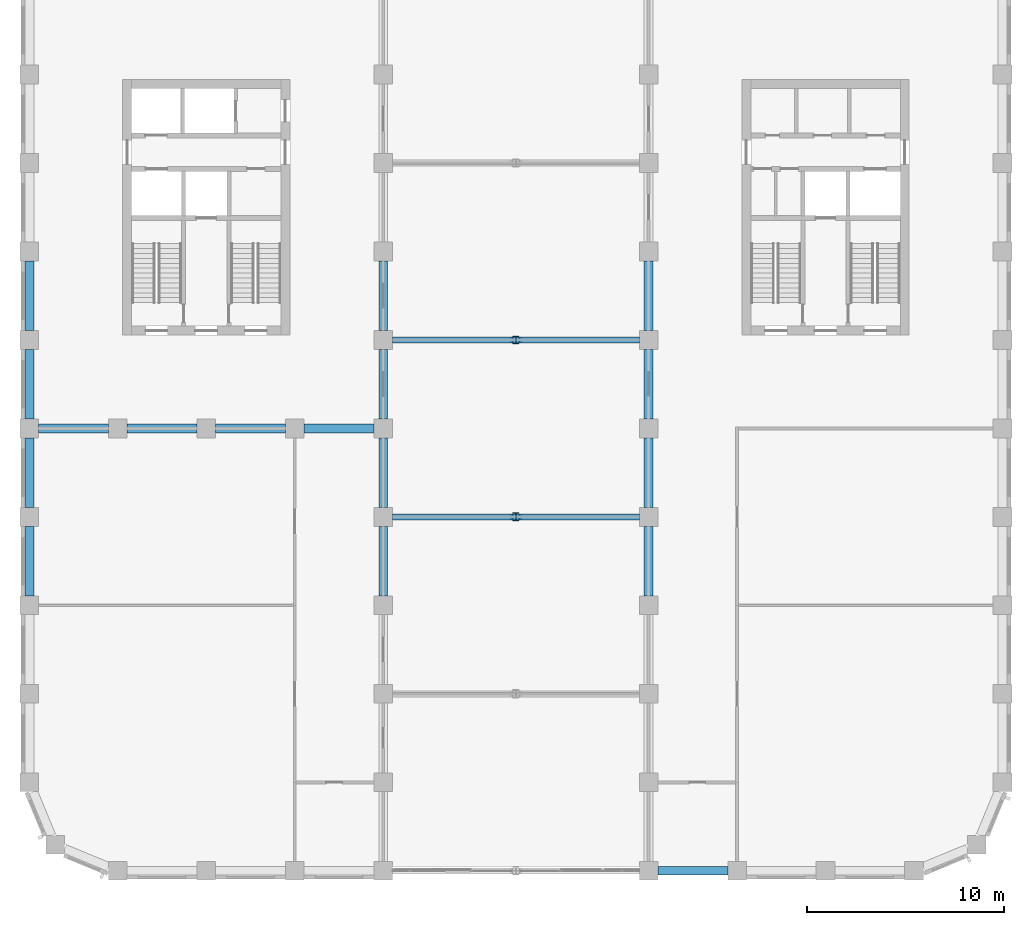
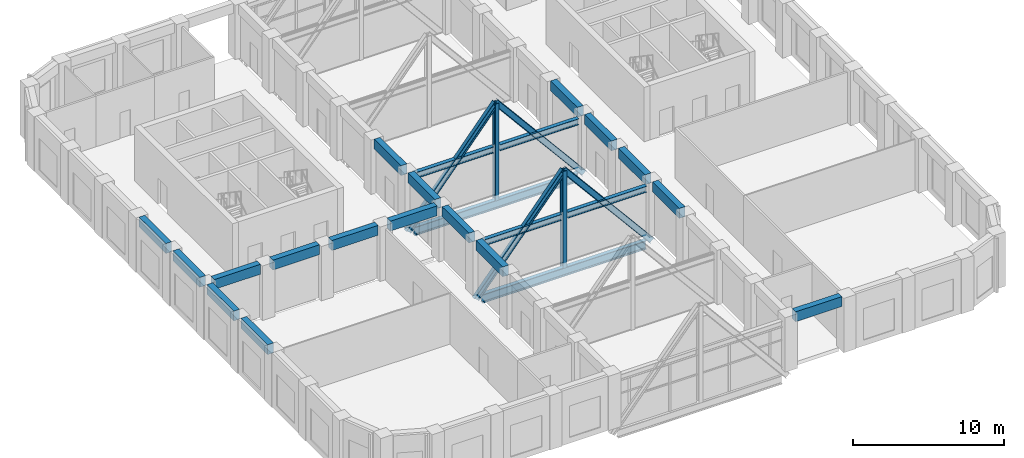
# One storey, part 3 of 15: 17 beams, 12 members.
"""IFC4 building model written with IfcOpenShell, lengths in metres."""

from ifc_helpers import new_model, si_unit, direction, frame, origin, origin_2d, place, context, subcontext, project, spatial, rectangle, i_section, extrude, material, material_profile, profile_set, type_object, element, save


model = new_model("IFC4")

# Units and contexts
model_context = context("Model", 3, precision=1e-05, world=origin(), true_north=direction((0.0, 1.0)))
body_context = subcontext(model_context, "Body", "Model", "MODEL_VIEW")
ifc_project = project(units=[si_unit("LENGTHUNIT", "METRE"), si_unit("AREAUNIT", "SQUARE_METRE"), si_unit("VOLUMEUNIT", "CUBIC_METRE"), si_unit("PLANEANGLEUNIT", "RADIAN"), si_unit("MASSUNIT", "GRAM", prefix="KILO")], contexts=[model_context])

# Site, building, storey
site_placement = place(None, origin())
site = spatial("IfcSite", under=ifc_project, at=site_placement, CompositionType="ELEMENT")
building_placement = place(site_placement, origin())
building = spatial("IfcBuilding", under=site, at=building_placement, Name="Girih Gate Residences", CompositionType="ELEMENT")
storey_placement = place(building_placement, frame((0.0, 0.0, 168.199951171875)))
storey = spatial("IfcBuildingStorey", under=building, at=storey_placement, Name="L46", CompositionType="ELEMENT", Elevation=168.199951171875)

# Members
ifc_material_1 = material(Name="Steel S460", Category="steel")
ifc_material_profile_1 = material_profile(ifc_material_1, i_section(OverallWidth=0.300048828125, OverallDepth=0.699951171875, WebThickness=0.01708984375, FlangeThickness=0.031982421875, FilletRadius=0.027099609375, at=origin_2d()))
ifc_profile_set_1 = profile_set([ifc_material_profile_1], Name="Steel S460")
member_type_1 = type_object("IfcMemberType", Name="Bridge truss bottom chord HE 700 B Steel S460", PredefinedType="CHORD", material=ifc_profile_set_1)
for number, where, z_axis, x_axis, name in (
    (1, (18.47509765625, 18.0, -0.800048828125), (1.0, 0.0, 0.0), (0.0, 1.0, 0.0), "Bridge truss chord at 18"),
    (2, (18.47509765625, 27.0, -0.800048828125), (1.0, 0.0, 0.0), (0.0, 1.0, 0.0), "Bridge truss chord at 27"),
):
    element("IfcMember", number, at=place(storey_placement, frame(where, z_axis=z_axis, x_axis=x_axis)), inside=storey, type_object=member_type_1, Name=name, PredefinedType="CHORD", context=body_context, shape_type="SweptSolid", body=[
        extrude(i_section(OverallWidth=0.300048828125, OverallDepth=0.699951171875, WebThickness=0.01708984375, FlangeThickness=0.031982421875, FilletRadius=0.027099609375, at=origin_2d()), origin(), (0.0, 0.0, 1.0), 12.5498046875),
    ])
ifc_material_profile_2 = material_profile(ifc_material_1, i_section(OverallWidth=0.300048828125, OverallDepth=0.5, WebThickness=0.014404296875, FlangeThickness=0.028076171875, FilletRadius=0.027099609375, at=origin_2d()))
ifc_profile_set_2 = profile_set([ifc_material_profile_2], Name="Steel S460")
member_type_2 = type_object("IfcMemberType", Name="Bridge truss chord HE 500 B Steel S460", PredefinedType="CHORD", material=ifc_profile_set_2)
for number, where, z_axis, x_axis, name in (
    (3, (18.47509765625, 18.0, 3.699951171875), (1.0, 0.0, 0.0), (0.0, 1.0, 0.0), "Bridge truss chord at 18"),
    (4, (25.0, 18.0, 3.699951171875), (1.0, 0.0, 0.0), (0.0, 1.0, 0.0), "Bridge truss chord at 18"),
    (5, (18.47509765625, 27.0, 3.699951171875), (1.0, 0.0, 0.0), (0.0, 1.0, 0.0), "Bridge truss chord at 27"),
    (6, (25.0, 27.0, 3.699951171875), (1.0, 0.0, 0.0), (0.0, 1.0, 0.0), "Bridge truss chord at 27"),
):
    element("IfcMember", number, at=place(storey_placement, frame(where, z_axis=z_axis, x_axis=x_axis)), inside=storey, type_object=member_type_2, Name=name, PredefinedType="CHORD", context=body_context, shape_type="SweptSolid", body=[
        extrude(i_section(OverallWidth=0.300048828125, OverallDepth=0.5, WebThickness=0.014404296875, FlangeThickness=0.028076171875, FilletRadius=0.027099609375, at=origin_2d()), origin(), (0.0, 0.0, 1.0), 6.02490234375),
    ])
ifc_material_profile_3 = material_profile(ifc_material_1, i_section(OverallWidth=0.300048828125, OverallDepth=0.43994140625, WebThickness=0.013916015625, FlangeThickness=0.02587890625, FilletRadius=0.027099609375, at=origin_2d()))
ifc_profile_set_3 = profile_set([ifc_material_profile_3], Name="Steel S460")
member_type_3 = type_object("IfcMemberType", Name="Bridge truss diagonal HE 450 B Steel S460", PredefinedType="BRACE", material=ifc_profile_set_3)
for number, where, z_axis, x_axis, name in (
    (7, (18.0, 18.0, -0.699951171875), (0.64017984464, 0.0, 0.768225075429), (0.0, 1.0, 0.0), "Bridge truss diagonal at 18"),
    (8, (24.75, 18.0, 7.400146484375), (0.64017984464, 0.0, -0.768225075429), (0.0, 1.0, 0.0), "Bridge truss diagonal at 18"),
    (9, (18.0, 27.0, -0.699951171875), (0.64017984464, 0.0, 0.768225075429), (0.0, 1.0, 0.0), "Bridge truss diagonal at 27"),
    (10, (24.75, 27.0, 7.400146484375), (0.64017984464, 0.0, -0.768225075429), (0.0, 1.0, 0.0), "Bridge truss diagonal at 27"),
):
    element("IfcMember", number, at=place(storey_placement, frame(where, z_axis=z_axis, x_axis=x_axis)), inside=storey, type_object=member_type_3, Name=name, PredefinedType="BRACE", context=body_context, shape_type="SweptSolid", body=[
        extrude(i_section(OverallWidth=0.300048828125, OverallDepth=0.43994140625, WebThickness=0.013916015625, FlangeThickness=0.02587890625, FilletRadius=0.027099609375, at=origin_2d()), origin(), (0.0, 0.0, 1.0), 10.5439453125),
    ])
ifc_material_profile_4 = material_profile(ifc_material_1, i_section(OverallWidth=0.300048828125, OverallDepth=0.39990234375, WebThickness=0.013427734375, FlangeThickness=0.02392578125, FilletRadius=0.027099609375, at=origin_2d()))
ifc_profile_set_4 = profile_set([ifc_material_profile_4], Name="Steel S460")
member_type_4 = type_object("IfcMemberType", Name="Bridge truss post HE 400 B Steel S460", PredefinedType="POST", material=ifc_profile_set_4)
for number, where, z_axis, x_axis, name in (
    (11, (24.75, 18.0, -0.449951171875), (0.0, 0.0, 1.0), (1.0, 0.0, 0.0), "Bridge truss post at 18"),
    (12, (24.75, 27.0, -0.449951171875), (0.0, 0.0, 1.0), (1.0, 0.0, 0.0), "Bridge truss post at 27"),
):
    element("IfcMember", number, at=place(storey_placement, frame(where, z_axis=z_axis, x_axis=x_axis)), inside=storey, type_object=member_type_4, Name=name, PredefinedType="POST", context=body_context, shape_type="SweptSolid", body=[
        extrude(i_section(OverallWidth=0.300048828125, OverallDepth=0.39990234375, WebThickness=0.013427734375, FlangeThickness=0.02392578125, FilletRadius=0.027099609375, at=origin_2d()), origin(), (0.0, 0.0, 1.0), 7.85009765625),
    ])

# Beams
ifc_material_2 = material(Name="Concrete C60/75", Category="concrete")
ifc_material_profile_5 = material_profile(ifc_material_2, rectangle(XDim=0.449951171875, YDim=0.800048828125, at=origin_2d()))
ifc_profile_set_5 = profile_set([ifc_material_profile_5], Name="Concrete C60/75")
beam_type = type_object("IfcBeamType", Name="Spandrel girder RC 450x800 Concrete C60/75", PredefinedType="BEAM", material=ifc_profile_set_5)
for number, where, z_axis, x_axis, name in (
    (13, (31.97509765625, 0.0, 4.0), (1.0, 0.0, 0.0), (0.0, 1.0, 0.0), "Spandrel girder SP-P8A-P9A L46"),
    (14, (0.0, 31.02490234375, 4.0), (0.0, -1.0, 0.0), (1.0, 0.0, 0.0), "Spandrel girder SP-P1H-P1G L46"),
    (15, (0.0, 26.52490234375, 4.0), (0.0, -1.0, 0.0), (1.0, 0.0, 0.0), "Spandrel girder SP-P1G-P1F L46"),
    (16, (0.0, 22.02490234375, 4.0), (0.0, -1.0, 0.0), (1.0, 0.0, 0.0), "Spandrel girder SP-P1F-P1E L46"),
    (17, (0.0, 17.52490234375, 4.0), (0.0, -1.0, 0.0), (1.0, 0.0, 0.0), "Spandrel girder SP-P1E-P1D L46"),
    (18, (18.0, 13.97509765625, 4.0), (0.0, 1.0, 0.0), (-1.0, 0.0, 0.0), "Spandrel girder SP-P5D-P5E L46"),
    (19, (18.0, 18.47509765625, 4.0), (0.0, 1.0, 0.0), (-1.0, 0.0, 0.0), "Spandrel girder SP-P5E-P5F L46"),
    (20, (18.0, 22.97509765625, 4.0), (0.0, 1.0, 0.0), (-1.0, 0.0, 0.0), "Spandrel girder SP-P5F-P5G L46"),
    (21, (18.0, 27.47509765625, 4.0), (0.0, 1.0, 0.0), (-1.0, 0.0, 0.0), "Spandrel girder SP-P5G-P5H L46"),
    (22, (31.5, 13.97509765625, 4.0), (0.0, 1.0, 0.0), (-1.0, 0.0, 0.0), "Spandrel girder SP-P8D-P8E L46"),
    (23, (31.5, 18.47509765625, 4.0), (0.0, 1.0, 0.0), (-1.0, 0.0, 0.0), "Spandrel girder SP-P8E-P8F L46"),
    (24, (31.5, 22.97509765625, 4.0), (0.0, 1.0, 0.0), (-1.0, 0.0, 0.0), "Spandrel girder SP-P8F-P8G L46"),
    (25, (31.5, 27.47509765625, 4.0), (0.0, 1.0, 0.0), (-1.0, 0.0, 0.0), "Spandrel girder SP-P8G-P8H L46"),
    (26, (0.47509765625, 22.5, 4.0), (1.0, 0.0, 0.0), (0.0, 1.0, 0.0), "Spandrel girder SP-P1F-P2F L46"),
    (27, (4.97509765625, 22.5, 4.0), (1.0, 0.0, 0.0), (0.0, 1.0, 0.0), "Spandrel girder SP-P2F-P3F L46"),
    (28, (9.47509765625, 22.5, 4.0), (1.0, 0.0, 0.0), (0.0, 1.0, 0.0), "Spandrel girder SP-P3F-P4F L46"),
    (29, (13.97509765625, 22.5, 4.0), (1.0, 0.0, 0.0), (0.0, 1.0, 0.0), "Spandrel girder SP-P4F-P5F L46"),
):
    element("IfcBeam", number, at=place(storey_placement, frame(where, z_axis=z_axis, x_axis=x_axis)), inside=storey, type_object=beam_type, Name=name, PredefinedType="BEAM", context=body_context, shape_type="SweptSolid", body=[
        extrude(rectangle(XDim=0.449951171875, YDim=0.800048828125, at=origin_2d()), origin(), (0.0, 0.0, 1.0), 3.5498046875),
    ])

save(model, "model.ifc")
